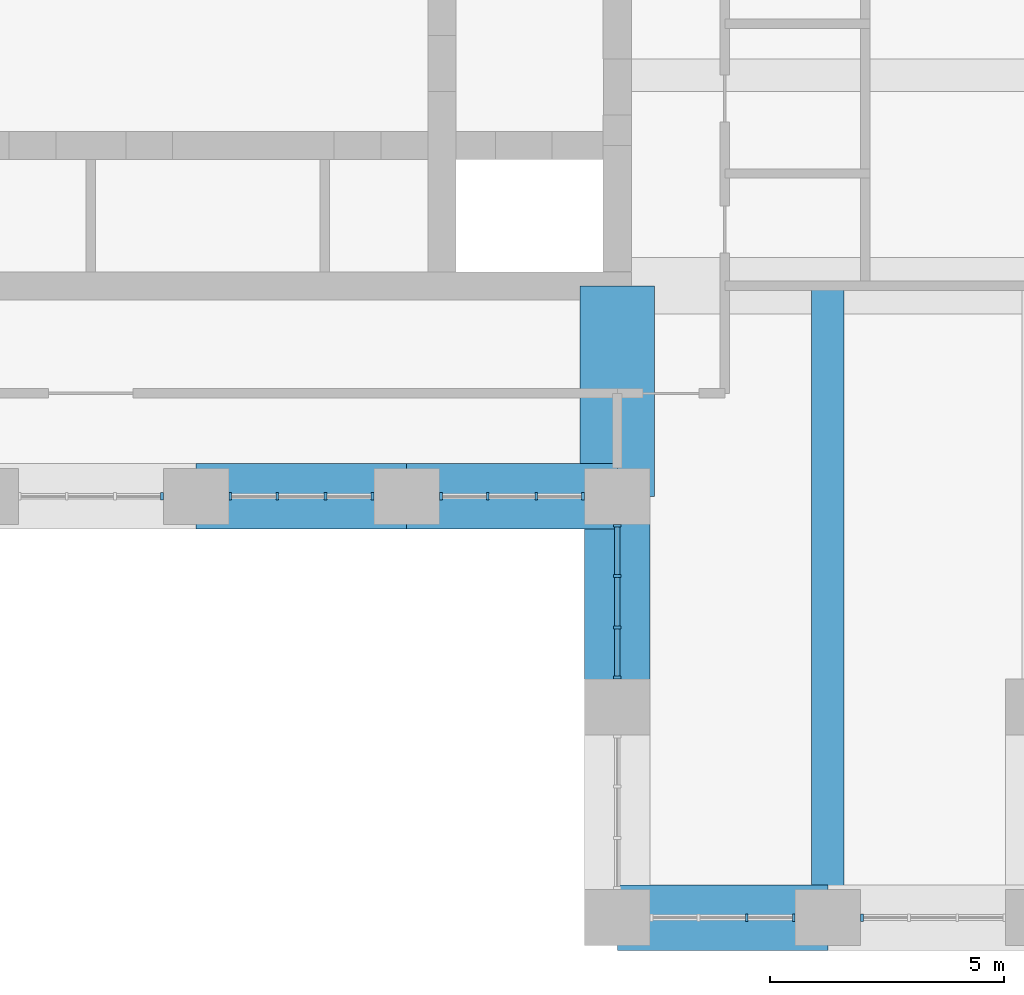
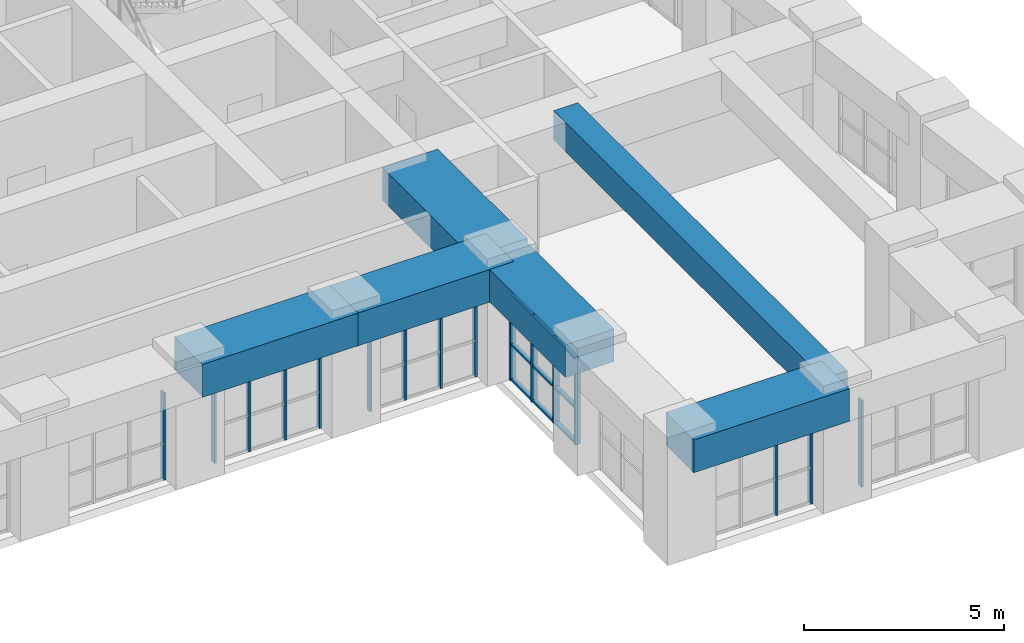
# One storey, part 3 of 18: 25 members, 6 beams, 6 elements without a shape of their own.
"""IFC4 building model written with IfcOpenShell, lengths in metres."""

from ifc_helpers import new_model, si_unit, direction, frame, origin, origin_2d, place, context, subcontext, project, spatial, rectangle, extrude, material, material_profile, profile_set, type_object, element, aggregate, save


model = new_model("IFC4")

# Units and contexts
model_context = context("Model", 3, precision=1e-05, world=origin(), true_north=direction((0.0, 1.0)))
body_context = subcontext(model_context, "Body", "Model", "MODEL_VIEW")
ifc_project = project(units=[si_unit("LENGTHUNIT", "METRE"), si_unit("AREAUNIT", "SQUARE_METRE"), si_unit("VOLUMEUNIT", "CUBIC_METRE"), si_unit("PLANEANGLEUNIT", "RADIAN"), si_unit("MASSUNIT", "GRAM", prefix="KILO")], contexts=[model_context])

# Site, building, storey
site_placement = place(None, origin())
site = spatial("IfcSite", under=ifc_project, at=site_placement, CompositionType="ELEMENT")
building_placement = place(site_placement, origin())
building = spatial("IfcBuilding", under=site, at=building_placement, Name="Kilele Tower Hotel", CompositionType="ELEMENT")
storey_placement = place(building_placement, frame((0.0, 0.0, 281.89990234375)))
storey = spatial("IfcBuildingStorey", under=building, at=storey_placement, Name="L72", CompositionType="ELEMENT", Elevation=281.89990234375)

# Beams
ifc_material_1 = material(Name="Concrete C60/75", Category="concrete")
ifc_material_profile_1 = material_profile(ifc_material_1, rectangle(XDim=1.60009765625, YDim=1.0, at=origin_2d()))
ifc_profile_set_1 = profile_set([ifc_material_profile_1], Name="Concrete C60/75")
beam_type_1 = type_object("IfcBeamType", Name="Beam RC 1600x1000 C60/75 short span", PredefinedType="BEAM", material=ifc_profile_set_1)
beam_1_placement = place(storey_placement, frame((36.0, 9.0, 3.150146484375), z_axis=(0.0, 1.0, 0.0), x_axis=(-1.0, 0.0, 0.0)))
element("IfcBeam", 1, at=beam_1_placement, inside=storey, type_object=beam_type_1, Name="Beam BC2 level L73", PredefinedType="BEAM", context=body_context, shape_type="SweptSolid", body=[
    extrude(rectangle(XDim=1.60009765625, YDim=1.0, at=origin_2d()), origin(), (0.0, 0.0, 1.0), 4.5),
])
ifc_material_2 = material(Name="Concrete C60/75", Category="concrete")
ifc_material_profile_2 = material_profile(ifc_material_2, rectangle(XDim=0.699951171875, YDim=0.89990234375, at=origin_2d()))
ifc_profile_set_2 = profile_set([ifc_material_profile_2], Name="Concrete C60/75")
beam_type_2 = type_object("IfcBeamType", Name="Beam RC 700x900 C60/75", PredefinedType="BEAM", material=ifc_profile_set_2)
beam_2_placement = place(storey_placement, frame((40.5, 0.0, 3.2001953125), z_axis=(0.0, 1.0, 0.0), x_axis=(-1.0, 0.0, 0.0)))
element("IfcBeam", 2, at=beam_2_placement, inside=storey, type_object=beam_type_2, Name="Beam B1 level L73", PredefinedType="BEAM", context=body_context, shape_type="SweptSolid", body=[
    extrude(rectangle(XDim=0.699951171875, YDim=0.89990234375, at=origin_2d()), origin(), (0.0, 0.0, 1.0), 13.5),
])

# Curtain wall, member
ifc_material_3 = material(Name="Aluminium curtain wall, clear double glazing", Category="aluminium")
curtain_wall_type = type_object("IfcCurtainWallType", Name="Sky restaurant curtain wall CW-5", PredefinedType="NOTDEFINED", material=ifc_material_3)
curtain_wall_1_placement = place(storey_placement, origin())
curtain_wall_1 = element("IfcCurtainWall", 3, at=curtain_wall_1_placement, inside=storey, type_object=curtain_wall_type, Name="Sky restaurant curtain wall CW-5 L72", PredefinedType="NOTDEFINED")
ifc_material_4 = material(Name="Aluminium EN AW-6063 T6", Category="aluminium")
ifc_material_profile_3 = material_profile(ifc_material_4, rectangle(XDim=0.159912109375, YDim=0.06005859375, at=origin_2d()))
ifc_profile_set_3 = profile_set([ifc_material_profile_3], Name="Aluminium EN AW-6063 T6")
member_type_1 = type_object("IfcMemberType", Name="Mullion 60x160 CW-5", PredefinedType="MULLION", material=ifc_profile_set_3)
member_1_placement = place(storey_placement, frame((26.27001953125, 9.0, 0.0), z_axis=(0.0, 0.0, 1.0), x_axis=(0.0, 1.0, 0.0)))
member_1 = element("IfcMember", 4, at=member_1_placement, type_object=member_type_1, Name="CW-5 mullion 4", PredefinedType="MULLION", context=body_context, shape_type="SweptSolid", body=[
    extrude(rectangle(XDim=0.159912109375, YDim=0.06005859375, at=origin_2d()), origin(), (0.0, 0.0, 1.0), 2.650146484375),
])
aggregate(curtain_wall_1, [member_1])

# Curtain wall, members
curtain_wall_2_placement = place(storey_placement, origin())
curtain_wall_2 = element("IfcCurtainWall", 5, at=curtain_wall_2_placement, inside=storey, type_object=curtain_wall_type, Name="Sky restaurant curtain wall CW-5 L72", PredefinedType="NOTDEFINED")
member_2_placement = place(storey_placement, frame((27.72998046875, 9.0, 0.0), z_axis=(0.0, 0.0, 1.0), x_axis=(0.0, 1.0, 0.0)))
member_2 = element("IfcMember", 6, at=member_2_placement, type_object=member_type_1, Name="CW-5 mullion 1", PredefinedType="MULLION", context=body_context, shape_type="SweptSolid", body=[
    extrude(rectangle(XDim=0.159912109375, YDim=0.06005859375, at=origin_2d()), origin(), (0.0, 0.0, 1.0), 2.650146484375),
])
member_3_placement = place(storey_placement, frame((28.7333984375, 9.0, 0.0), z_axis=(0.0, 0.0, 1.0), x_axis=(0.0, 1.0, 0.0)))
member_3 = element("IfcMember", 7, at=member_3_placement, type_object=member_type_1, Name="CW-5 mullion 2", PredefinedType="MULLION", context=body_context, shape_type="SweptSolid", body=[
    extrude(rectangle(XDim=0.159912109375, YDim=0.06005859375, at=origin_2d()), origin(), (0.0, 0.0, 1.0), 2.650146484375),
])
member_4_placement = place(storey_placement, frame((29.7666015625, 9.0, 0.0), z_axis=(0.0, 0.0, 1.0), x_axis=(0.0, 1.0, 0.0)))
member_4 = element("IfcMember", 8, at=member_4_placement, type_object=member_type_1, Name="CW-5 mullion 3", PredefinedType="MULLION", context=body_context, shape_type="SweptSolid", body=[
    extrude(rectangle(XDim=0.159912109375, YDim=0.06005859375, at=origin_2d()), origin(), (0.0, 0.0, 1.0), 2.650146484375),
])
member_5_placement = place(storey_placement, frame((30.77001953125, 9.0, 0.0), z_axis=(0.0, 0.0, 1.0), x_axis=(0.0, 1.0, 0.0)))
member_5 = element("IfcMember", 9, at=member_5_placement, type_object=member_type_1, Name="CW-5 mullion 4", PredefinedType="MULLION", context=body_context, shape_type="SweptSolid", body=[
    extrude(rectangle(XDim=0.159912109375, YDim=0.06005859375, at=origin_2d()), origin(), (0.0, 0.0, 1.0), 2.650146484375),
])
aggregate(curtain_wall_2, [member_2, member_3, member_4, member_5])

curtain_wall_3_placement = place(storey_placement, origin())
curtain_wall_3 = element("IfcCurtainWall", 10, at=curtain_wall_3_placement, inside=storey, type_object=curtain_wall_type, Name="Sky restaurant curtain wall CW-5 L72", PredefinedType="NOTDEFINED")
member_6_placement = place(storey_placement, frame((32.22998046875, 9.0, 0.0), z_axis=(0.0, 0.0, 1.0), x_axis=(0.0, 1.0, 0.0)))
member_6 = element("IfcMember", 11, at=member_6_placement, type_object=member_type_1, Name="CW-5 mullion 1", PredefinedType="MULLION", context=body_context, shape_type="SweptSolid", body=[
    extrude(rectangle(XDim=0.159912109375, YDim=0.06005859375, at=origin_2d()), origin(), (0.0, 0.0, 1.0), 2.650146484375),
])
member_7_placement = place(storey_placement, frame((33.2333984375, 9.0, 0.0), z_axis=(0.0, 0.0, 1.0), x_axis=(0.0, 1.0, 0.0)))
member_7 = element("IfcMember", 12, at=member_7_placement, type_object=member_type_1, Name="CW-5 mullion 2", PredefinedType="MULLION", context=body_context, shape_type="SweptSolid", body=[
    extrude(rectangle(XDim=0.159912109375, YDim=0.06005859375, at=origin_2d()), origin(), (0.0, 0.0, 1.0), 2.650146484375),
])
member_8_placement = place(storey_placement, frame((34.2666015625, 9.0, 0.0), z_axis=(0.0, 0.0, 1.0), x_axis=(0.0, 1.0, 0.0)))
member_8 = element("IfcMember", 13, at=member_8_placement, type_object=member_type_1, Name="CW-5 mullion 3", PredefinedType="MULLION", context=body_context, shape_type="SweptSolid", body=[
    extrude(rectangle(XDim=0.159912109375, YDim=0.06005859375, at=origin_2d()), origin(), (0.0, 0.0, 1.0), 2.650146484375),
])
member_9_placement = place(storey_placement, frame((35.27001953125, 9.0, 0.0), z_axis=(0.0, 0.0, 1.0), x_axis=(0.0, 1.0, 0.0)))
member_9 = element("IfcMember", 14, at=member_9_placement, type_object=member_type_1, Name="CW-5 mullion 4", PredefinedType="MULLION", context=body_context, shape_type="SweptSolid", body=[
    extrude(rectangle(XDim=0.159912109375, YDim=0.06005859375, at=origin_2d()), origin(), (0.0, 0.0, 1.0), 2.650146484375),
])
aggregate(curtain_wall_3, [member_6, member_7, member_8, member_9])

curtain_wall_4_placement = place(storey_placement, origin())
curtain_wall_4 = element("IfcCurtainWall", 15, at=curtain_wall_4_placement, inside=storey, type_object=curtain_wall_type, Name="Sky restaurant curtain wall CW-5 L72", PredefinedType="NOTDEFINED")
member_10_placement = place(storey_placement, frame((36.0, 8.3701171875, 0.0), z_axis=(0.0, 0.0, 1.0), x_axis=(1.0, 0.0, 0.0)))
member_10 = element("IfcMember", 16, at=member_10_placement, type_object=member_type_1, Name="CW-5 mullion 1", PredefinedType="MULLION", context=body_context, shape_type="SweptSolid", body=[
    extrude(rectangle(XDim=0.159912109375, YDim=0.06005859375, at=origin_2d()), origin(), (0.0, 0.0, 1.0), 2.650146484375),
])
member_11_placement = place(storey_placement, frame((36.0, 7.300048828125, 0.0), z_axis=(0.0, 0.0, 1.0), x_axis=(1.0, 0.0, 0.0)))
member_11 = element("IfcMember", 17, at=member_11_placement, type_object=member_type_1, Name="CW-5 mullion 2", PredefinedType="MULLION", context=body_context, shape_type="SweptSolid", body=[
    extrude(rectangle(XDim=0.159912109375, YDim=0.06005859375, at=origin_2d()), origin(), (0.0, 0.0, 1.0), 2.650146484375),
])
member_12_placement = place(storey_placement, frame((36.0, 6.199951171875, 0.0), z_axis=(0.0, 0.0, 1.0), x_axis=(1.0, 0.0, 0.0)))
member_12 = element("IfcMember", 18, at=member_12_placement, type_object=member_type_1, Name="CW-5 mullion 3", PredefinedType="MULLION", context=body_context, shape_type="SweptSolid", body=[
    extrude(rectangle(XDim=0.159912109375, YDim=0.06005859375, at=origin_2d()), origin(), (0.0, 0.0, 1.0), 2.650146484375),
])
member_13_placement = place(storey_placement, frame((36.0, 5.1298828125, 0.0), z_axis=(0.0, 0.0, 1.0), x_axis=(1.0, 0.0, 0.0)))
member_13 = element("IfcMember", 19, at=member_13_placement, type_object=member_type_1, Name="CW-5 mullion 4", PredefinedType="MULLION", context=body_context, shape_type="SweptSolid", body=[
    extrude(rectangle(XDim=0.159912109375, YDim=0.06005859375, at=origin_2d()), origin(), (0.0, 0.0, 1.0), 2.650146484375),
])

curtain_wall_5_placement = place(storey_placement, origin())
curtain_wall_5 = element("IfcCurtainWall", 20, at=curtain_wall_5_placement, inside=storey, type_object=curtain_wall_type, Name="Sky restaurant curtain wall CW-5 L72", PredefinedType="NOTDEFINED")
member_14_placement = place(storey_placement, frame((38.7666015625, 0.0, 0.0), z_axis=(0.0, 0.0, 1.0), x_axis=(0.0, 1.0, 0.0)))
member_14 = element("IfcMember", 21, at=member_14_placement, type_object=member_type_1, Name="CW-5 mullion 3", PredefinedType="MULLION", context=body_context, shape_type="SweptSolid", body=[
    extrude(rectangle(XDim=0.159912109375, YDim=0.06005859375, at=origin_2d()), origin(), (0.0, 0.0, 1.0), 2.650146484375),
])
member_15_placement = place(storey_placement, frame((39.77001953125, 0.0, 0.0), z_axis=(0.0, 0.0, 1.0), x_axis=(0.0, 1.0, 0.0)))
member_15 = element("IfcMember", 22, at=member_15_placement, type_object=member_type_1, Name="CW-5 mullion 4", PredefinedType="MULLION", context=body_context, shape_type="SweptSolid", body=[
    extrude(rectangle(XDim=0.159912109375, YDim=0.06005859375, at=origin_2d()), origin(), (0.0, 0.0, 1.0), 2.650146484375),
])
aggregate(curtain_wall_5, [member_14, member_15])

# Curtain wall, member
curtain_wall_6_placement = place(storey_placement, origin())
curtain_wall_6 = element("IfcCurtainWall", 23, at=curtain_wall_6_placement, inside=storey, type_object=curtain_wall_type, Name="Sky restaurant curtain wall CW-5 L72", PredefinedType="NOTDEFINED")
member_16_placement = place(storey_placement, frame((41.22998046875, 0.0, 0.0), z_axis=(0.0, 0.0, 1.0), x_axis=(0.0, 1.0, 0.0)))
member_16 = element("IfcMember", 24, at=member_16_placement, type_object=member_type_1, Name="CW-5 mullion 1", PredefinedType="MULLION", context=body_context, shape_type="SweptSolid", body=[
    extrude(rectangle(XDim=0.159912109375, YDim=0.06005859375, at=origin_2d()), origin(), (0.0, 0.0, 1.0), 2.650146484375),
])
aggregate(curtain_wall_6, [member_16])

# Beams
ifc_material_5 = material(Name="Concrete C60/75", Category="concrete")
ifc_material_profile_4 = material_profile(ifc_material_5, rectangle(XDim=1.39990234375, YDim=1.0, at=origin_2d()))
ifc_profile_set_4 = profile_set([ifc_material_profile_4], Name="Concrete C60/75")
beam_type_3 = type_object("IfcBeamType", Name="Spandrel RC 1400x1000 C60/75", PredefinedType="SPANDREL", material=ifc_profile_set_4)
for number, where, z_axis, x_axis, name in (
    (25, (27.0, 9.0, 3.150146484375), (1.0, 0.0, 0.0), (0.0, 1.0, 0.0), "Spandrel SP1 level L73"),
    (26, (31.5, 9.0, 3.150146484375), (1.0, 0.0, 0.0), (0.0, 1.0, 0.0), "Spandrel SP1 level L73"),
    (27, (36.0, 9.0, 3.150146484375), (0.0, -1.0, 0.0), (1.0, 0.0, 0.0), "Spandrel SP1 level L73"),
    (28, (36.0, 0.0, 3.150146484375), (1.0, 0.0, 0.0), (0.0, 1.0, 0.0), "Spandrel SP1 level L73"),
):
    element("IfcBeam", number, at=place(storey_placement, frame(where, z_axis=z_axis, x_axis=x_axis)), inside=storey, type_object=beam_type_3, Name=name, PredefinedType="SPANDREL", context=body_context, shape_type="SweptSolid", body=[
        extrude(rectangle(XDim=1.39990234375, YDim=1.0, at=origin_2d()), origin(), (0.0, 0.0, 1.0), 4.5),
    ])

# Member
ifc_material_6 = material(Name="Aluminium EN AW-6063 T6", Category="aluminium")
ifc_material_profile_5 = material_profile(ifc_material_6, rectangle(XDim=0.1201171875, YDim=0.06005859375, at=origin_2d()))
ifc_profile_set_5 = profile_set([ifc_material_profile_5], Name="Aluminium EN AW-6063 T6")
member_type_2 = type_object("IfcMemberType", Name="Transom 60x120 CW-5", PredefinedType="USERDEFINED", material=ifc_profile_set_5)
member_17_placement = place(storey_placement, frame((36.0, 8.340087890625, 0.030029296875), z_axis=(0.0, -1.0, 0.0), x_axis=(1.0, 0.0, 0.0)))
member_17 = element("IfcMember", 29, at=member_17_placement, type_object=member_type_2, Name="CW-5 transom 1.1", ObjectType="TRANSOM", PredefinedType="USERDEFINED", context=body_context, shape_type="SweptSolid", body=[
    extrude(rectangle(XDim=0.1201171875, YDim=0.06005859375, at=origin_2d()), origin(), (0.0, 0.0, 1.0), 1.010009765625),
])

member_18_placement = place(storey_placement, frame((36.0, 8.340087890625, 1.10009765625), z_axis=(0.0, -1.0, 0.0), x_axis=(1.0, 0.0, 0.0)))
member_18 = element("IfcMember", 30, at=member_18_placement, type_object=member_type_2, Name="CW-5 transom 1.2", ObjectType="TRANSOM", PredefinedType="USERDEFINED", context=body_context, shape_type="SweptSolid", body=[
    extrude(rectangle(XDim=0.1201171875, YDim=0.06005859375, at=origin_2d()), origin(), (0.0, 0.0, 1.0), 1.010009765625),
])

member_19_placement = place(storey_placement, frame((36.0, 8.340087890625, 2.6201171875), z_axis=(0.0, -1.0, 0.0), x_axis=(1.0, 0.0, 0.0)))
member_19 = element("IfcMember", 31, at=member_19_placement, type_object=member_type_2, Name="CW-5 transom 1.3", ObjectType="TRANSOM", PredefinedType="USERDEFINED", context=body_context, shape_type="SweptSolid", body=[
    extrude(rectangle(XDim=0.1201171875, YDim=0.06005859375, at=origin_2d()), origin(), (0.0, 0.0, 1.0), 1.010009765625),
])

member_20_placement = place(storey_placement, frame((36.0, 7.27001953125, 0.030029296875), z_axis=(0.0, -1.0, 0.0), x_axis=(1.0, 0.0, 0.0)))
member_20 = element("IfcMember", 32, at=member_20_placement, type_object=member_type_2, Name="CW-5 transom 2.1", ObjectType="TRANSOM", PredefinedType="USERDEFINED", context=body_context, shape_type="SweptSolid", body=[
    extrude(rectangle(XDim=0.1201171875, YDim=0.06005859375, at=origin_2d()), origin(), (0.0, 0.0, 1.0), 1.0400390625),
])

member_21_placement = place(storey_placement, frame((36.0, 7.27001953125, 1.10009765625), z_axis=(0.0, -1.0, 0.0), x_axis=(1.0, 0.0, 0.0)))
member_21 = element("IfcMember", 33, at=member_21_placement, type_object=member_type_2, Name="CW-5 transom 2.2", ObjectType="TRANSOM", PredefinedType="USERDEFINED", context=body_context, shape_type="SweptSolid", body=[
    extrude(rectangle(XDim=0.1201171875, YDim=0.06005859375, at=origin_2d()), origin(), (0.0, 0.0, 1.0), 1.0400390625),
])

member_22_placement = place(storey_placement, frame((36.0, 7.27001953125, 2.6201171875), z_axis=(0.0, -1.0, 0.0), x_axis=(1.0, 0.0, 0.0)))
member_22 = element("IfcMember", 34, at=member_22_placement, type_object=member_type_2, Name="CW-5 transom 2.3", ObjectType="TRANSOM", PredefinedType="USERDEFINED", context=body_context, shape_type="SweptSolid", body=[
    extrude(rectangle(XDim=0.1201171875, YDim=0.06005859375, at=origin_2d()), origin(), (0.0, 0.0, 1.0), 1.0400390625),
])

member_23_placement = place(storey_placement, frame((36.0, 6.169921875, 0.030029296875), z_axis=(0.0, -1.0, 0.0), x_axis=(1.0, 0.0, 0.0)))
member_23 = element("IfcMember", 35, at=member_23_placement, type_object=member_type_2, Name="CW-5 transom 3.1", ObjectType="TRANSOM", PredefinedType="USERDEFINED", context=body_context, shape_type="SweptSolid", body=[
    extrude(rectangle(XDim=0.1201171875, YDim=0.06005859375, at=origin_2d()), origin(), (0.0, 0.0, 1.0), 1.010009765625),
])

member_24_placement = place(storey_placement, frame((36.0, 6.169921875, 1.10009765625), z_axis=(0.0, -1.0, 0.0), x_axis=(1.0, 0.0, 0.0)))
member_24 = element("IfcMember", 36, at=member_24_placement, type_object=member_type_2, Name="CW-5 transom 3.2", ObjectType="TRANSOM", PredefinedType="USERDEFINED", context=body_context, shape_type="SweptSolid", body=[
    extrude(rectangle(XDim=0.1201171875, YDim=0.06005859375, at=origin_2d()), origin(), (0.0, 0.0, 1.0), 1.010009765625),
])

member_25_placement = place(storey_placement, frame((36.0, 6.169921875, 2.6201171875), z_axis=(0.0, -1.0, 0.0), x_axis=(1.0, 0.0, 0.0)))
member_25 = element("IfcMember", 37, at=member_25_placement, type_object=member_type_2, Name="CW-5 transom 3.3", ObjectType="TRANSOM", PredefinedType="USERDEFINED", context=body_context, shape_type="SweptSolid", body=[
    extrude(rectangle(XDim=0.1201171875, YDim=0.06005859375, at=origin_2d()), origin(), (0.0, 0.0, 1.0), 1.010009765625),
])

aggregate(curtain_wall_4, [member_10, member_11, member_12, member_13, member_17, member_18, member_19, member_20, member_21, member_22, member_23, member_24, member_25])

save(model, "model.ifc")
